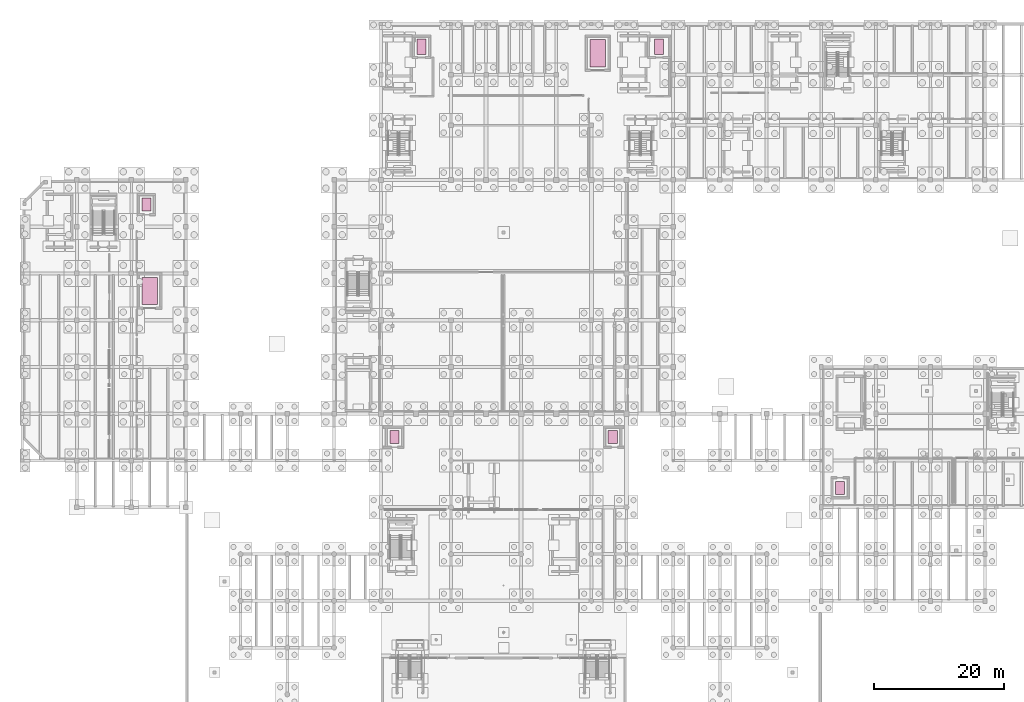
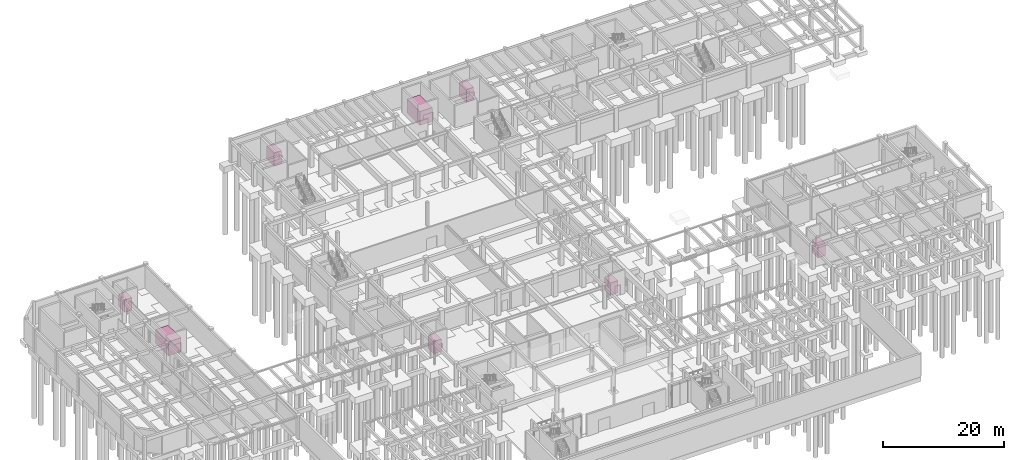
# One storey, part 46 of 46: 8 transport elements.
"""IFC4 building model written with IfcOpenShell, lengths in metres."""

from ifc_helpers import new_model, si_unit, direction, frame, origin, origin_2d, place, context, subcontext, project, spatial, rectangle, extrude, material, type_object, element, save


model = new_model("IFC4")

# Units and contexts
model_context = context("Model", 3, precision=1e-05, world=origin(), true_north=direction((0.0, 1.0)))
body_context = subcontext(model_context, "Body", "Model", "MODEL_VIEW")
ifc_project = project(units=[si_unit("LENGTHUNIT", "METRE"), si_unit("AREAUNIT", "SQUARE_METRE"), si_unit("VOLUMEUNIT", "CUBIC_METRE"), si_unit("PLANEANGLEUNIT", "RADIAN"), si_unit("MASSUNIT", "GRAM", prefix="KILO")], contexts=[model_context])

# Site, building, storey
site_placement = place(None, origin())
site = spatial("IfcSite", under=ifc_project, at=site_placement, CompositionType="ELEMENT")
building_placement = place(site_placement, origin())
building = spatial("IfcBuilding", under=site, at=building_placement, Name="Tazoul Stagehouse", CompositionType="ELEMENT")
storey_placement = place(building_placement, frame((0.0, 0.0, -4.800048828125)))
storey = spatial("IfcBuildingStorey", under=building, at=storey_placement, Name="B1", CompositionType="ELEMENT", Elevation=-4.800048828125)

# Transport elements
ifc_material = material(Name="Brushed Stainless Steel 316L", Category="steel")
transport_element_type_1 = type_object("IfcTransportElementType", Name="Backstage Firefighter Lift Car 1400x2400 (1600 kg)", PredefinedType="ELEVATOR", material=ifc_material)
transport_element_1_placement = place(storey_placement, frame((63.85009765625, 108.300048828125, 0.0), z_axis=(0.0, 0.0, 1.0), x_axis=(1.0, 0.0, 0.0)))
element("IfcTransportElement", 1, at=transport_element_1_placement, inside=storey, type_object=transport_element_type_1, Name="Firefighter Lift FFL-02", PredefinedType="ELEVATOR", context=body_context, shape_type="SweptSolid", body=[
    extrude(rectangle(XDim=1.39990234375, YDim=2.39990234375, at=origin_2d()), origin(), (0.0, 0.0, 1.0), 2.60009765625),
])
transport_element_type_2 = type_object("IfcTransportElementType", Name="Black-Box Scenery Lift Car 2400x4200 (3500 kg)", PredefinedType="ELEVATOR", material=ifc_material)
transport_element_2_placement = place(storey_placement, frame((22.0, 70.699951171875, 0.0), z_axis=(0.0, 0.0, 1.0), x_axis=(1.0, 0.0, 0.0)))
element("IfcTransportElement", 2, at=transport_element_2_placement, inside=storey, type_object=transport_element_type_2, Name="Black-Box Scenery Goods Lift GL-02", PredefinedType="ELEVATOR", context=body_context, shape_type="SweptSolid", body=[
    extrude(rectangle(XDim=2.39990234375, YDim=4.199951171875, at=origin_2d()), origin(), (0.0, 0.0, 1.0), 2.800048828125),
])
transport_element_type_3 = type_object("IfcTransportElementType", Name="East Foyer Passenger Lift Car 1400x2000 (1275 kg)", PredefinedType="ELEVATOR", material=ifc_material)
transport_element_3_placement = place(storey_placement, frame((93.300048828125, 48.199951171875, 0.0), z_axis=(0.0, 0.0, 1.0), x_axis=(1.0, 0.0, 0.0)))
element("IfcTransportElement", 3, at=transport_element_3_placement, inside=storey, type_object=transport_element_type_3, Name="Public Foyer Passenger Lift PL-02", PredefinedType="ELEVATOR", context=body_context, shape_type="SweptSolid", body=[
    extrude(rectangle(XDim=1.39990234375, YDim=2.0, at=origin_2d()), origin(), (0.0, 0.0, 1.0), 2.5),
])
transport_element_type_4 = type_object("IfcTransportElementType", Name="Firefighter Lift Car 1400x2400 (1600 kg)", PredefinedType="ELEVATOR", material=ifc_material)
transport_element_4_placement = place(storey_placement, frame((100.449951171875, 108.300048828125, 0.0), z_axis=(0.0, 0.0, 1.0), x_axis=(1.0, 0.0, 0.0)))
element("IfcTransportElement", 4, at=transport_element_4_placement, inside=storey, type_object=transport_element_type_4, Name="Firefighter Lift FFL-01", PredefinedType="ELEVATOR", context=body_context, shape_type="SweptSolid", body=[
    extrude(rectangle(XDim=1.39990234375, YDim=2.39990234375, at=origin_2d()), origin(), (0.0, 0.0, 1.0), 2.60009765625),
])
transport_element_type_5 = type_object("IfcTransportElementType", Name="Public Passenger Lift Car 1400x2000 (1275 kg)", PredefinedType="ELEVATOR", material=ifc_material)
transport_element_5_placement = place(storey_placement, frame((59.699951171875, 48.199951171875, 0.0), z_axis=(0.0, 0.0, 1.0), x_axis=(1.0, 0.0, 0.0)))
element("IfcTransportElement", 5, at=transport_element_5_placement, inside=storey, type_object=transport_element_type_5, Name="Public Foyer Passenger Lift PL-01", PredefinedType="ELEVATOR", context=body_context, shape_type="SweptSolid", body=[
    extrude(rectangle(XDim=1.39990234375, YDim=2.0, at=origin_2d()), origin(), (0.0, 0.0, 1.0), 2.5),
])
transport_element_type_6 = type_object("IfcTransportElementType", Name="Scenery Goods Lift Car 2400x4200 (3500 kg)", PredefinedType="ELEVATOR", material=ifc_material)
transport_element_6_placement = place(storey_placement, frame((91.0, 107.300048828125, 0.0), z_axis=(0.0, 0.0, 1.0), x_axis=(1.0, 0.0, 0.0)))
element("IfcTransportElement", 6, at=transport_element_6_placement, inside=storey, type_object=transport_element_type_6, Name="Scenery Goods Lift GL-01", PredefinedType="ELEVATOR", context=body_context, shape_type="SweptSolid", body=[
    extrude(rectangle(XDim=2.39990234375, YDim=4.199951171875, at=origin_2d()), origin(), (0.0, 0.0, 1.0), 2.800048828125),
])
transport_element_type_7 = type_object("IfcTransportElementType", Name="Studio Drum Passenger Lift Car 1400x2000 (1275 kg)", PredefinedType="ELEVATOR", material=ifc_material)
transport_element_7_placement = place(storey_placement, frame((128.300048828125, 40.39990234375, 0.0), z_axis=(0.0, 0.0, 1.0), x_axis=(1.0, 0.0, 0.0)))
element("IfcTransportElement", 7, at=transport_element_7_placement, inside=storey, type_object=transport_element_type_7, Name="Studio Theatre Passenger Lift PL-04", PredefinedType="ELEVATOR", context=body_context, shape_type="SweptSolid", body=[
    extrude(rectangle(XDim=1.39990234375, YDim=2.0, at=origin_2d()), origin(), (0.0, 0.0, 1.0), 2.5),
])
transport_element_type_8 = type_object("IfcTransportElementType", Name="West Wing Passenger Lift Car 1400x2000 (1275 kg)", PredefinedType="ELEVATOR", material=ifc_material)
transport_element_8_placement = place(storey_placement, frame((21.5, 84.0, 0.0), z_axis=(0.0, 0.0, 1.0), x_axis=(1.0, 0.0, 0.0)))
element("IfcTransportElement", 8, at=transport_element_8_placement, inside=storey, type_object=transport_element_type_8, Name="West Wing Passenger Lift PL-03", PredefinedType="ELEVATOR", context=body_context, shape_type="SweptSolid", body=[
    extrude(rectangle(XDim=1.39990234375, YDim=2.0, at=origin_2d()), origin(), (0.0, 0.0, 1.0), 2.5),
])

save(model, "model.ifc")
